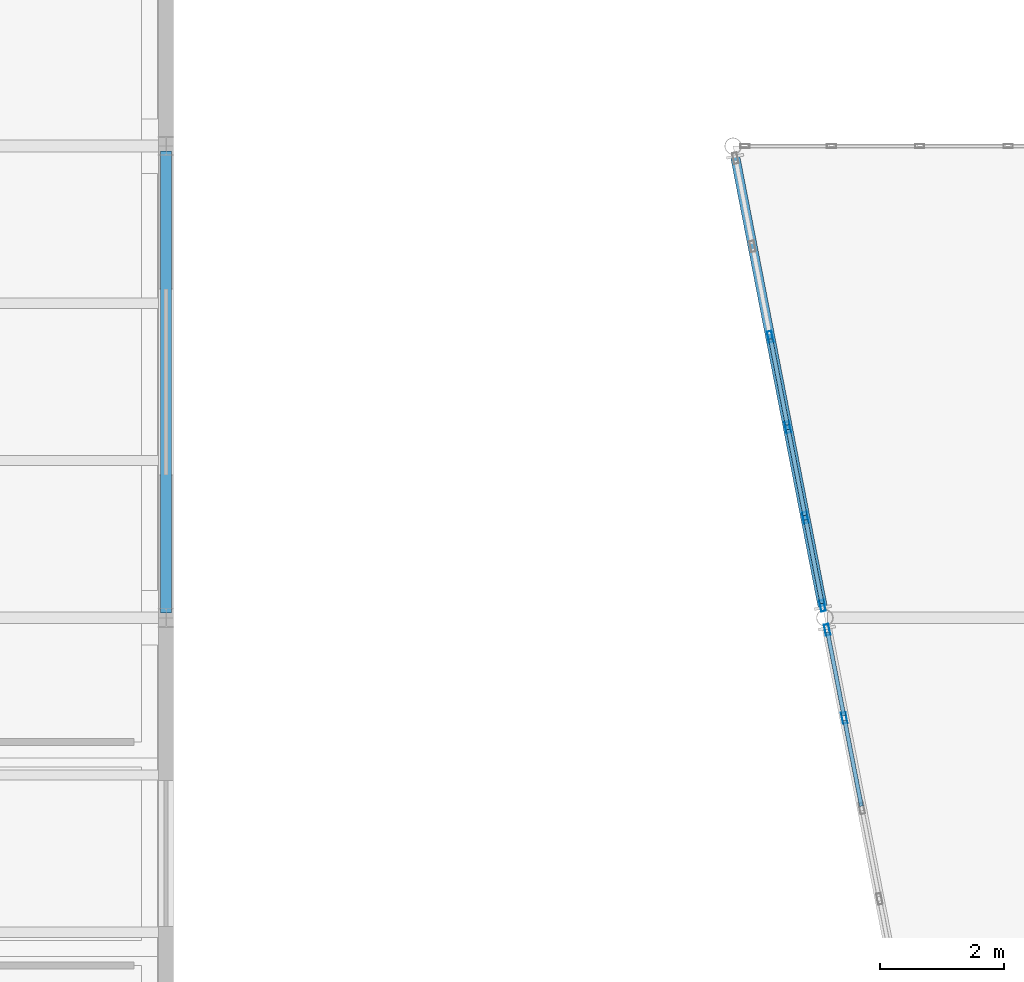
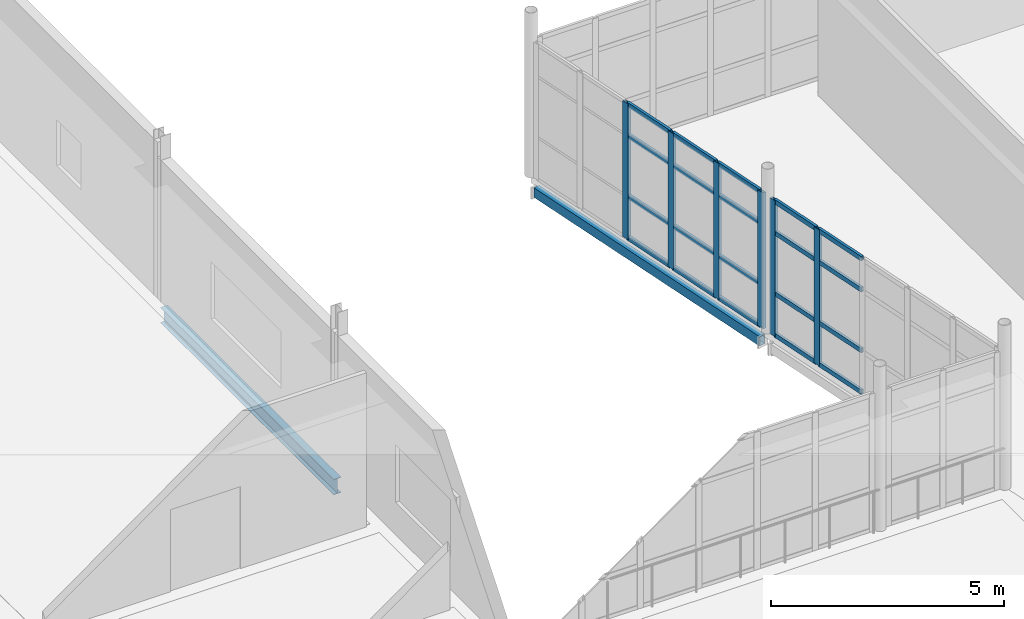
# One storey, part 103 of 174: 26 members, 2 beams, 2 elements without a shape of their own.
"""IFC4 building model written with IfcOpenShell, lengths in metres."""

from ifc_helpers import new_model, si_unit, direction, frame, origin, origin_2d, place, context, subcontext, project, spatial, hollow_rectangle, i_section, extrude, material, material_profile, profile_set, type_object, element, aggregate, save


model = new_model("IFC4")

# Units and contexts
model_context = context("Model", 3, precision=1e-05, world=origin(), true_north=direction((0.0, 1.0)))
body_context = subcontext(model_context, "Body", "Model", "MODEL_VIEW")
ifc_project = project(units=[si_unit("LENGTHUNIT", "METRE"), si_unit("AREAUNIT", "SQUARE_METRE"), si_unit("VOLUMEUNIT", "CUBIC_METRE"), si_unit("PLANEANGLEUNIT", "RADIAN"), si_unit("MASSUNIT", "GRAM", prefix="KILO")], contexts=[model_context])

# Site, building, storey
site_placement = place(None, origin())
site = spatial("IfcSite", under=ifc_project, at=site_placement, CompositionType="ELEMENT")
building_placement = place(site_placement, origin())
building = spatial("IfcBuilding", under=site, at=building_placement, Name="Caisbarro Railhouse Central Library", CompositionType="ELEMENT")
storey_placement = place(building_placement, frame((0.0, 0.0, 5.0400390625)))
storey = spatial("IfcBuildingStorey", under=building, at=storey_placement, Name="L01", CompositionType="ELEMENT", Elevation=5.0400390625)

# Beams
ifc_material_1 = material(Name="Steel ASTM A572 Grade 50", Category="steel")
ifc_material_profile_1 = material_profile(ifc_material_1, i_section(OverallWidth=0.177978515625, OverallDepth=0.406982421875, WebThickness=0.0078125, FlangeThickness=0.0126953125, FilletRadius=0.01611328125, at=origin_2d()), Name="W410X60.0")
ifc_profile_set_1 = profile_set([ifc_material_profile_1], Name="Steel ASTM A572 Grade 50")
beam_type_1 = type_object("IfcBeamType", Name="BM-G10", PredefinedType="BEAM", material=ifc_profile_set_1)
beam_1_placement = place(storey_placement, frame((99.0, 98.8798828125, -0.403564453125), z_axis=(0.0, 1.0, 0.0), x_axis=(-1.0, 0.0, 0.0)))
element("IfcBeam", 1, at=beam_1_placement, inside=storey, type_object=beam_type_1, Name="G10 beam L01 #1206", PredefinedType="BEAM", context=body_context, shape_type="SweptSolid", body=[
    extrude(i_section(OverallWidth=0.177978515625, OverallDepth=0.406982421875, WebThickness=0.0078125, FlangeThickness=0.0126953125, FilletRadius=0.01611328125, at=origin_2d()), origin(), (0.0, 0.0, 1.0), 7.440185546875),
])
ifc_material_profile_2 = material_profile(ifc_material_1, hollow_rectangle(XDim=0.14990234375, YDim=0.25, WallThickness=0.010009765625, at=origin_2d()), Name="HSS250X150X10")
ifc_profile_set_2 = profile_set([ifc_material_profile_2], Name="Steel ASTM A572 Grade 50")
beam_type_2 = type_object("IfcBeamType", Name="BM-SP03", PredefinedType="SPANDREL", material=ifc_profile_set_2)
beam_2_placement = place(storey_placement, frame((109.57958984375, 98.976806640625, -0.344970703125), z_axis=(-0.19088559215, 0.981612291442, 0.0), x_axis=(-0.981612291442, -0.19088559215, 0.0)))
element("IfcBeam", 2, at=beam_2_placement, inside=storey, type_object=beam_type_2, Name="SP03 beam L01 #1270", PredefinedType="SPANDREL", context=body_context, shape_type="SweptSolid", body=[
    extrude(hollow_rectangle(XDim=0.14990234375, YDim=0.25, WallThickness=0.010009765625, at=origin_2d()), origin(), (0.0, 0.0, 1.0), 7.38232421875),
])

# Curtain wall, members
ifc_material_2 = material(Name="Anodised architectural aluminium", Category="aluminium")
curtain_wall_type = type_object("IfcCurtainWallType", Name="CW-CW02", PredefinedType="NOTDEFINED", material=ifc_material_2)
curtain_wall_1_placement = place(storey_placement, origin())
curtain_wall_1 = element("IfcCurtainWall", 3, at=curtain_wall_1_placement, inside=storey, type_object=curtain_wall_type, Name="CW02 curtain wall L01 #113", PredefinedType="NOTDEFINED")
ifc_material_profile_3 = material_profile(ifc_material_2, hollow_rectangle(XDim=0.074951171875, YDim=0.179931640625, WallThickness=0.00439453125, at=origin_2d()), Name="ALU-MUL-75X180")
ifc_profile_set_3 = profile_set([ifc_material_profile_3], Name="Anodised architectural aluminium")
member_type_1 = type_object("IfcMemberType", Name="CWM-M01", PredefinedType="MULLION", material=ifc_profile_set_3)
member_1_placement = place(storey_placement, frame((109.927734375, 97.185791015625, 0.0), z_axis=(0.0, 0.0, 1.0), x_axis=(-0.981632635401, -0.190780945369, 0.0)))
member_1 = element("IfcMember", 4, at=member_1_placement, type_object=member_type_1, Name="CW02 mullion 5", PredefinedType="MULLION", context=body_context, shape_type="SweptSolid", body=[
    extrude(hollow_rectangle(XDim=0.074951171875, YDim=0.179931640625, WallThickness=0.00439453125, at=origin_2d()), origin(), (0.0, 0.0, 1.0), 3.56005859375),
])
member_2_placement = place(storey_placement, frame((109.651611328125, 98.606201171875, 0.0), z_axis=(0.0, 0.0, 1.0), x_axis=(-0.981632635401, -0.190780945369, 0.0)))
member_2 = element("IfcMember", 5, at=member_2_placement, type_object=member_type_1, Name="CW02 mullion 6", PredefinedType="MULLION", context=body_context, shape_type="SweptSolid", body=[
    extrude(hollow_rectangle(XDim=0.074951171875, YDim=0.179931640625, WallThickness=0.00439453125, at=origin_2d()), origin(), (0.0, 0.0, 1.0), 3.56005859375),
])

curtain_wall_2_placement = place(storey_placement, origin())
curtain_wall_2 = element("IfcCurtainWall", 6, at=curtain_wall_2_placement, inside=storey, type_object=curtain_wall_type, Name="CW02 curtain wall L01 #114", PredefinedType="NOTDEFINED")
member_3_placement = place(storey_placement, frame((109.576416015625, 98.993896484375, 0.0), z_axis=(0.0, 0.0, 1.0), x_axis=(-0.98160739523, -0.190910768765, 0.0)))
member_3 = element("IfcMember", 7, at=member_3_placement, type_object=member_type_1, Name="CW02 mullion 1", PredefinedType="MULLION", context=body_context, shape_type="SweptSolid", body=[
    extrude(hollow_rectangle(XDim=0.074951171875, YDim=0.179931640625, WallThickness=0.00439453125, at=origin_2d()), origin(), (0.0, 0.0, 1.0), 3.56005859375),
])
member_4_placement = place(storey_placement, frame((109.300048828125, 100.414306640625, 0.0), z_axis=(0.0, 0.0, 1.0), x_axis=(-0.98160739523, -0.190910768765, 0.0)))
member_4 = element("IfcMember", 8, at=member_4_placement, type_object=member_type_1, Name="CW02 mullion 2", PredefinedType="MULLION", context=body_context, shape_type="SweptSolid", body=[
    extrude(hollow_rectangle(XDim=0.074951171875, YDim=0.179931640625, WallThickness=0.00439453125, at=origin_2d()), origin(), (0.0, 0.0, 1.0), 3.56005859375),
])
member_5_placement = place(storey_placement, frame((109.0166015625, 101.871337890625, 0.0), z_axis=(0.0, 0.0, 1.0), x_axis=(-0.98160739523, -0.190910768765, 0.0)))
member_5 = element("IfcMember", 9, at=member_5_placement, type_object=member_type_1, Name="CW02 mullion 3", PredefinedType="MULLION", context=body_context, shape_type="SweptSolid", body=[
    extrude(hollow_rectangle(XDim=0.074951171875, YDim=0.179931640625, WallThickness=0.00439453125, at=origin_2d()), origin(), (0.0, 0.0, 1.0), 3.56005859375),
])
member_6_placement = place(storey_placement, frame((108.7333984375, 103.32861328125, 0.0), z_axis=(0.0, 0.0, 1.0), x_axis=(-0.98160739523, -0.190910768765, 0.0)))
member_6 = element("IfcMember", 10, at=member_6_placement, type_object=member_type_1, Name="CW02 mullion 4", PredefinedType="MULLION", context=body_context, shape_type="SweptSolid", body=[
    extrude(hollow_rectangle(XDim=0.074951171875, YDim=0.179931640625, WallThickness=0.00439453125, at=origin_2d()), origin(), (0.0, 0.0, 1.0), 3.56005859375),
])

# Member
ifc_material_profile_4 = material_profile(ifc_material_2, hollow_rectangle(XDim=0.06494140625, YDim=0.1201171875, WallThickness=0.00341796875, at=origin_2d()), Name="ALU-TRN-65X120")
ifc_profile_set_4 = profile_set([ifc_material_profile_4], Name="Anodised architectural aluminium")
member_type_2 = type_object("IfcMemberType", Name="CWT-T02", PredefinedType="USERDEFINED", material=ifc_profile_set_4)
member_7_placement = place(storey_placement, frame((110.203857421875, 95.765380859375, 0.032470703125), z_axis=(-0.190883567843, 0.981612685089, 0.0), x_axis=(-0.981612685089, -0.190883567843, 0.0)))
member_7 = element("IfcMember", 11, at=member_7_placement, type_object=member_type_2, Name="CW02 transom 4.1", ObjectType="TRANSOM", PredefinedType="USERDEFINED", context=body_context, shape_type="SweptSolid", body=[
    extrude(hollow_rectangle(XDim=0.06494140625, YDim=0.1201171875, WallThickness=0.00341796875, at=origin_2d()), origin(), (0.0, 0.0, 1.0), 1.409423828125),
])

member_8_placement = place(storey_placement, frame((110.203857421875, 95.765380859375, 1.119873046875), z_axis=(-0.190883567843, 0.981612685089, 0.0), x_axis=(-0.981612685089, -0.190883567843, 0.0)))
member_8 = element("IfcMember", 12, at=member_8_placement, type_object=member_type_2, Name="CW02 transom 4.2", ObjectType="TRANSOM", PredefinedType="USERDEFINED", context=body_context, shape_type="SweptSolid", body=[
    extrude(hollow_rectangle(XDim=0.06494140625, YDim=0.1201171875, WallThickness=0.00341796875, at=origin_2d()), origin(), (0.0, 0.0, 1.0), 1.409423828125),
])

member_9_placement = place(storey_placement, frame((110.203857421875, 95.765380859375, 2.7099609375), z_axis=(-0.190883567843, 0.981612685089, 0.0), x_axis=(-0.981612685089, -0.190883567843, 0.0)))
member_9 = element("IfcMember", 13, at=member_9_placement, type_object=member_type_2, Name="CW02 transom 4.3", ObjectType="TRANSOM", PredefinedType="USERDEFINED", context=body_context, shape_type="SweptSolid", body=[
    extrude(hollow_rectangle(XDim=0.06494140625, YDim=0.1201171875, WallThickness=0.00341796875, at=origin_2d()), origin(), (0.0, 0.0, 1.0), 1.409423828125),
])

member_10_placement = place(storey_placement, frame((110.203857421875, 95.765380859375, 3.52734375), z_axis=(-0.190883567843, 0.981612685089, 0.0), x_axis=(-0.981612685089, -0.190883567843, 0.0)))
member_10 = element("IfcMember", 14, at=member_10_placement, type_object=member_type_2, Name="CW02 transom 4.4", ObjectType="TRANSOM", PredefinedType="USERDEFINED", context=body_context, shape_type="SweptSolid", body=[
    extrude(hollow_rectangle(XDim=0.06494140625, YDim=0.1201171875, WallThickness=0.00341796875, at=origin_2d()), origin(), (0.0, 0.0, 1.0), 1.409423828125),
])

member_11_placement = place(storey_placement, frame((109.920654296875, 97.22265625, 0.032470703125), z_axis=(-0.190945868313, 0.981600568141, 0.0), x_axis=(-0.981600568141, -0.190945868313, 0.0)))
member_11 = element("IfcMember", 15, at=member_11_placement, type_object=member_type_2, Name="CW02 transom 5.1", ObjectType="TRANSOM", PredefinedType="USERDEFINED", context=body_context, shape_type="SweptSolid", body=[
    extrude(hollow_rectangle(XDim=0.06494140625, YDim=0.1201171875, WallThickness=0.00341796875, at=origin_2d()), origin(), (0.0, 0.0, 1.0), 1.371826171875),
])

member_12_placement = place(storey_placement, frame((109.920654296875, 97.22265625, 1.119873046875), z_axis=(-0.190945868313, 0.981600568141, 0.0), x_axis=(-0.981600568141, -0.190945868313, 0.0)))
member_12 = element("IfcMember", 16, at=member_12_placement, type_object=member_type_2, Name="CW02 transom 5.2", ObjectType="TRANSOM", PredefinedType="USERDEFINED", context=body_context, shape_type="SweptSolid", body=[
    extrude(hollow_rectangle(XDim=0.06494140625, YDim=0.1201171875, WallThickness=0.00341796875, at=origin_2d()), origin(), (0.0, 0.0, 1.0), 1.371826171875),
])

member_13_placement = place(storey_placement, frame((109.920654296875, 97.22265625, 2.7099609375), z_axis=(-0.190945868313, 0.981600568141, 0.0), x_axis=(-0.981600568141, -0.190945868313, 0.0)))
member_13 = element("IfcMember", 17, at=member_13_placement, type_object=member_type_2, Name="CW02 transom 5.3", ObjectType="TRANSOM", PredefinedType="USERDEFINED", context=body_context, shape_type="SweptSolid", body=[
    extrude(hollow_rectangle(XDim=0.06494140625, YDim=0.1201171875, WallThickness=0.00341796875, at=origin_2d()), origin(), (0.0, 0.0, 1.0), 1.371826171875),
])

member_14_placement = place(storey_placement, frame((109.920654296875, 97.22265625, 3.52734375), z_axis=(-0.190945868313, 0.981600568141, 0.0), x_axis=(-0.981600568141, -0.190945868313, 0.0)))
member_14 = element("IfcMember", 18, at=member_14_placement, type_object=member_type_2, Name="CW02 transom 5.4", ObjectType="TRANSOM", PredefinedType="USERDEFINED", context=body_context, shape_type="SweptSolid", body=[
    extrude(hollow_rectangle(XDim=0.06494140625, YDim=0.1201171875, WallThickness=0.00341796875, at=origin_2d()), origin(), (0.0, 0.0, 1.0), 1.371826171875),
])

aggregate(curtain_wall_1, [member_1, member_2, member_7, member_8, member_9, member_10, member_11, member_12, member_13, member_14])

member_15_placement = place(storey_placement, frame((109.569091796875, 99.03076171875, 0.032470703125), z_axis=(-0.190774392735, 0.981633908887, 0.0), x_axis=(-0.981633908887, -0.190774392735, 0.0)))
member_15 = element("IfcMember", 19, at=member_15_placement, type_object=member_type_2, Name="CW02 transom 1.1", ObjectType="TRANSOM", PredefinedType="USERDEFINED", context=body_context, shape_type="SweptSolid", body=[
    extrude(hollow_rectangle(XDim=0.06494140625, YDim=0.1201171875, WallThickness=0.00341796875, at=origin_2d()), origin(), (0.0, 0.0, 1.0), 1.371826171875),
])

member_16_placement = place(storey_placement, frame((109.569091796875, 99.03076171875, 1.119873046875), z_axis=(-0.190774392735, 0.981633908887, 0.0), x_axis=(-0.981633908887, -0.190774392735, 0.0)))
member_16 = element("IfcMember", 20, at=member_16_placement, type_object=member_type_2, Name="CW02 transom 1.2", ObjectType="TRANSOM", PredefinedType="USERDEFINED", context=body_context, shape_type="SweptSolid", body=[
    extrude(hollow_rectangle(XDim=0.06494140625, YDim=0.1201171875, WallThickness=0.00341796875, at=origin_2d()), origin(), (0.0, 0.0, 1.0), 1.371826171875),
])

member_17_placement = place(storey_placement, frame((109.569091796875, 99.03076171875, 2.7099609375), z_axis=(-0.190774392735, 0.981633908887, 0.0), x_axis=(-0.981633908887, -0.190774392735, 0.0)))
member_17 = element("IfcMember", 21, at=member_17_placement, type_object=member_type_2, Name="CW02 transom 1.3", ObjectType="TRANSOM", PredefinedType="USERDEFINED", context=body_context, shape_type="SweptSolid", body=[
    extrude(hollow_rectangle(XDim=0.06494140625, YDim=0.1201171875, WallThickness=0.00341796875, at=origin_2d()), origin(), (0.0, 0.0, 1.0), 1.371826171875),
])

member_18_placement = place(storey_placement, frame((109.569091796875, 99.03076171875, 3.52734375), z_axis=(-0.190774392735, 0.981633908887, 0.0), x_axis=(-0.981633908887, -0.190774392735, 0.0)))
member_18 = element("IfcMember", 22, at=member_18_placement, type_object=member_type_2, Name="CW02 transom 1.4", ObjectType="TRANSOM", PredefinedType="USERDEFINED", context=body_context, shape_type="SweptSolid", body=[
    extrude(hollow_rectangle(XDim=0.06494140625, YDim=0.1201171875, WallThickness=0.00341796875, at=origin_2d()), origin(), (0.0, 0.0, 1.0), 1.371826171875),
])

member_19_placement = place(storey_placement, frame((109.29296875, 100.451171875, 0.032470703125), z_axis=(-0.190883567843, 0.981612685089, 0.0), x_axis=(-0.981612685089, -0.190883567843, 0.0)))
member_19 = element("IfcMember", 23, at=member_19_placement, type_object=member_type_2, Name="CW02 transom 2.1", ObjectType="TRANSOM", PredefinedType="USERDEFINED", context=body_context, shape_type="SweptSolid", body=[
    extrude(hollow_rectangle(XDim=0.06494140625, YDim=0.1201171875, WallThickness=0.00341796875, at=origin_2d()), origin(), (0.0, 0.0, 1.0), 1.409423828125),
])

member_20_placement = place(storey_placement, frame((109.29296875, 100.451171875, 1.119873046875), z_axis=(-0.190883567843, 0.981612685089, 0.0), x_axis=(-0.981612685089, -0.190883567843, 0.0)))
member_20 = element("IfcMember", 24, at=member_20_placement, type_object=member_type_2, Name="CW02 transom 2.2", ObjectType="TRANSOM", PredefinedType="USERDEFINED", context=body_context, shape_type="SweptSolid", body=[
    extrude(hollow_rectangle(XDim=0.06494140625, YDim=0.1201171875, WallThickness=0.00341796875, at=origin_2d()), origin(), (0.0, 0.0, 1.0), 1.409423828125),
])

member_21_placement = place(storey_placement, frame((109.29296875, 100.451171875, 2.7099609375), z_axis=(-0.190883567843, 0.981612685089, 0.0), x_axis=(-0.981612685089, -0.190883567843, 0.0)))
member_21 = element("IfcMember", 25, at=member_21_placement, type_object=member_type_2, Name="CW02 transom 2.3", ObjectType="TRANSOM", PredefinedType="USERDEFINED", context=body_context, shape_type="SweptSolid", body=[
    extrude(hollow_rectangle(XDim=0.06494140625, YDim=0.1201171875, WallThickness=0.00341796875, at=origin_2d()), origin(), (0.0, 0.0, 1.0), 1.409423828125),
])

member_22_placement = place(storey_placement, frame((109.29296875, 100.451171875, 3.52734375), z_axis=(-0.190883567843, 0.981612685089, 0.0), x_axis=(-0.981612685089, -0.190883567843, 0.0)))
member_22 = element("IfcMember", 26, at=member_22_placement, type_object=member_type_2, Name="CW02 transom 2.4", ObjectType="TRANSOM", PredefinedType="USERDEFINED", context=body_context, shape_type="SweptSolid", body=[
    extrude(hollow_rectangle(XDim=0.06494140625, YDim=0.1201171875, WallThickness=0.00341796875, at=origin_2d()), origin(), (0.0, 0.0, 1.0), 1.409423828125),
])

member_23_placement = place(storey_placement, frame((109.009521484375, 101.908203125, 0.032470703125), z_axis=(-0.190883567843, 0.981612685089, 0.0), x_axis=(-0.981612685089, -0.190883567843, 0.0)))
member_23 = element("IfcMember", 27, at=member_23_placement, type_object=member_type_2, Name="CW02 transom 3.1", ObjectType="TRANSOM", PredefinedType="USERDEFINED", context=body_context, shape_type="SweptSolid", body=[
    extrude(hollow_rectangle(XDim=0.06494140625, YDim=0.1201171875, WallThickness=0.00341796875, at=origin_2d()), origin(), (0.0, 0.0, 1.0), 1.409423828125),
])

member_24_placement = place(storey_placement, frame((109.009521484375, 101.908203125, 1.119873046875), z_axis=(-0.190883567843, 0.981612685089, 0.0), x_axis=(-0.981612685089, -0.190883567843, 0.0)))
member_24 = element("IfcMember", 28, at=member_24_placement, type_object=member_type_2, Name="CW02 transom 3.2", ObjectType="TRANSOM", PredefinedType="USERDEFINED", context=body_context, shape_type="SweptSolid", body=[
    extrude(hollow_rectangle(XDim=0.06494140625, YDim=0.1201171875, WallThickness=0.00341796875, at=origin_2d()), origin(), (0.0, 0.0, 1.0), 1.409423828125),
])

member_25_placement = place(storey_placement, frame((109.009521484375, 101.908203125, 2.7099609375), z_axis=(-0.190883567843, 0.981612685089, 0.0), x_axis=(-0.981612685089, -0.190883567843, 0.0)))
member_25 = element("IfcMember", 29, at=member_25_placement, type_object=member_type_2, Name="CW02 transom 3.3", ObjectType="TRANSOM", PredefinedType="USERDEFINED", context=body_context, shape_type="SweptSolid", body=[
    extrude(hollow_rectangle(XDim=0.06494140625, YDim=0.1201171875, WallThickness=0.00341796875, at=origin_2d()), origin(), (0.0, 0.0, 1.0), 1.409423828125),
])

member_26_placement = place(storey_placement, frame((109.009521484375, 101.908203125, 3.52734375), z_axis=(-0.190883567843, 0.981612685089, 0.0), x_axis=(-0.981612685089, -0.190883567843, 0.0)))
member_26 = element("IfcMember", 30, at=member_26_placement, type_object=member_type_2, Name="CW02 transom 3.4", ObjectType="TRANSOM", PredefinedType="USERDEFINED", context=body_context, shape_type="SweptSolid", body=[
    extrude(hollow_rectangle(XDim=0.06494140625, YDim=0.1201171875, WallThickness=0.00341796875, at=origin_2d()), origin(), (0.0, 0.0, 1.0), 1.409423828125),
])

aggregate(curtain_wall_2, [member_3, member_4, member_5, member_6, member_15, member_16, member_17, member_18, member_19, member_20, member_21, member_22, member_23, member_24, member_25, member_26])

save(model, "model.ifc")
